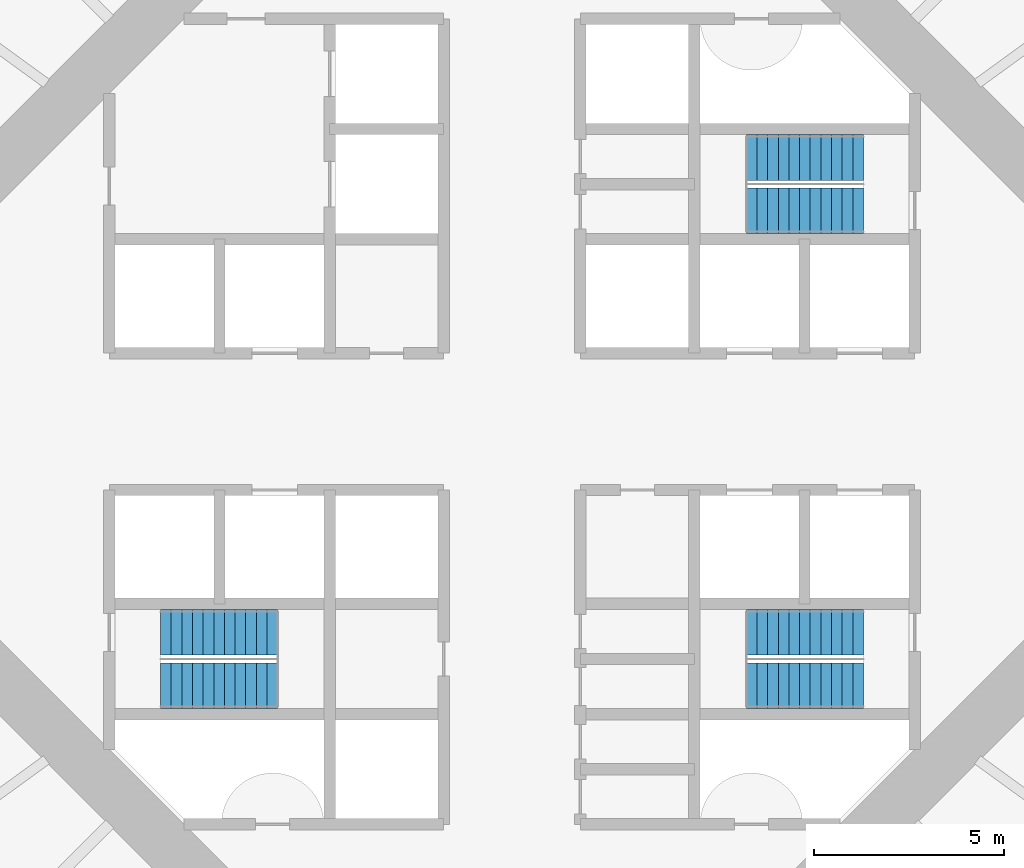
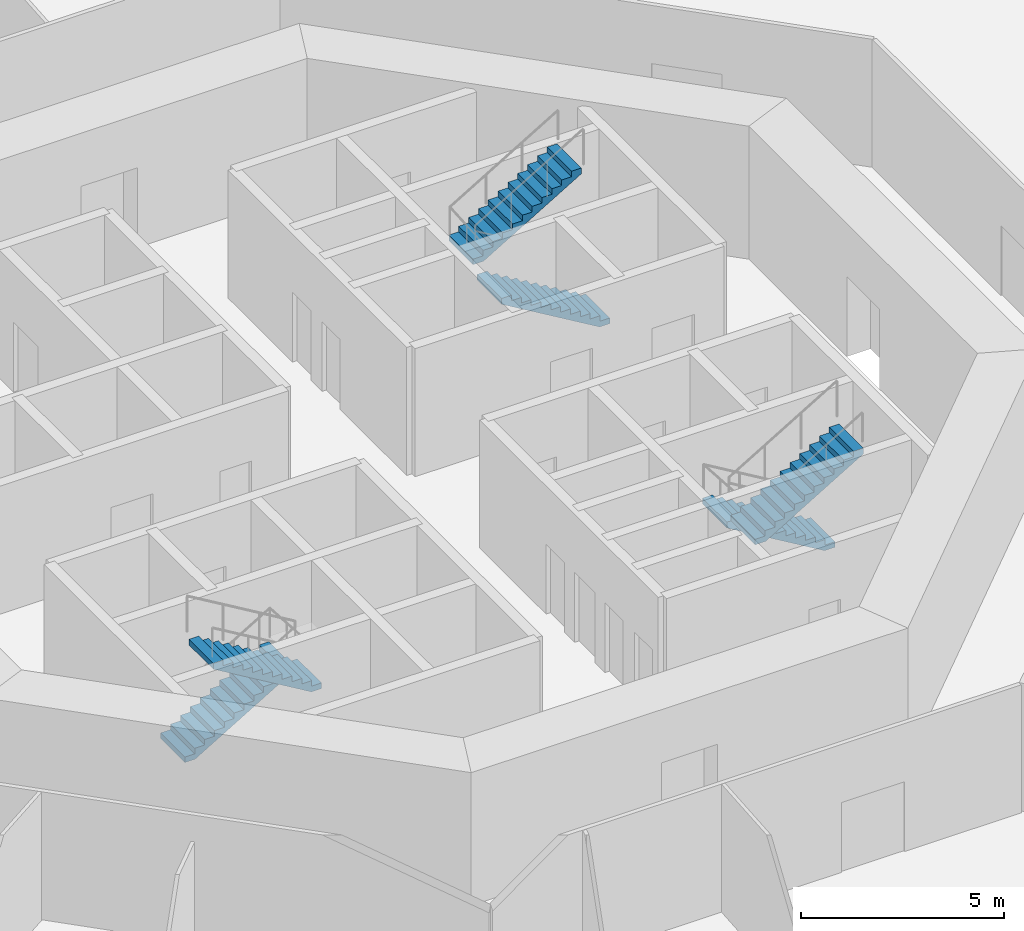
# One storey, part 6 of 13: 6 stair flights, 3 elements without a shape of their own.
"""IFC4 building model written with IfcOpenShell, lengths in metres."""

from ifc_helpers import new_model, si_unit, direction, frame, origin, place, context, subcontext, project, spatial, polyline, outline, extrude, material, type_object, element, aggregate, save


model = new_model("IFC4")

# Units and contexts
model_context = context("Model", 3, precision=1e-05, world=origin(), true_north=direction((0.0, 1.0)))
body_context = subcontext(model_context, "Body", "Model", "MODEL_VIEW")
ifc_project = project(units=[si_unit("LENGTHUNIT", "METRE"), si_unit("AREAUNIT", "SQUARE_METRE"), si_unit("VOLUMEUNIT", "CUBIC_METRE"), si_unit("PLANEANGLEUNIT", "RADIAN"), si_unit("MASSUNIT", "GRAM", prefix="KILO")], contexts=[model_context])

# Site, building, storey
site_placement = place(None, origin())
site = spatial("IfcSite", under=ifc_project, at=site_placement, CompositionType="ELEMENT")
building_placement = place(site_placement, origin())
building = spatial("IfcBuilding", under=site, at=building_placement, Name="Entoto Ring Tower", CompositionType="ELEMENT")
storey_placement = place(building_placement, frame((0.0, 0.0, 42.0)))
storey = spatial("IfcBuildingStorey", under=building, at=storey_placement, Name="L08", CompositionType="ELEMENT", Elevation=42.0)

# Stair, stair flights
ifc_material_1 = material(Name="Concrete C40/50", Category="concrete")
stair_type = type_object("IfcStairType", Name="Exit stair 1200 mm dog-leg reinforced concrete", PredefinedType="HALF_TURN_STAIR", material=ifc_material_1)
stair_1_placement = place(storey_placement, origin())
stair_1 = element("IfcStair", 1, at=stair_1_placement, inside=storey, type_object=stair_type, Name="Exit stair 1", PredefinedType="HALF_TURN_STAIR")
ifc_material_2 = material(Name="Concrete C40/50", Category="concrete")
stair_flight_type = type_object("IfcStairFlightType", Name="Stair flight 1200 mm reinforced concrete", PredefinedType="STRAIGHT", material=ifc_material_2)
stair_flight_1_placement = place(storey_placement, frame((99.25, 85.550048828125, 0.0), z_axis=(0.0, 0.0, 1.0), x_axis=(-1.0, 0.0, 0.0)))
stair_flight_1 = element("IfcStairFlight", 2, at=stair_flight_1_placement, type_object=stair_flight_type, Name="ST1 flight 1", NumberOfRisers=12, NumberOfTreads=11, PredefinedType="STRAIGHT", RiserHeight=0.166666667, TreadLength=0.28, context=body_context, shape_type="SweptSolid", body=[
    extrude(outline(polyline([(0.0, 0.0), (0.0, 0.166748046875), (0.280029296875, 0.166748046875), (0.280029296875, 0.333251953125), (0.56005859375, 0.333251953125), (0.56005859375, 0.5), (0.840087890625, 0.5), (0.840087890625, 0.666748046875), (1.1201171875, 0.666748046875), (1.1201171875, 0.833251953125), (1.39990234375, 0.833251953125), (1.39990234375, 1.0), (1.679931640625, 1.0), (1.679931640625, 1.166748046875), (1.9599609375, 1.166748046875), (1.9599609375, 1.333251953125), (2.239990234375, 1.333251953125), (2.239990234375, 1.5), (2.52001953125, 1.5), (2.52001953125, 1.666748046875), (2.800048828125, 1.666748046875), (2.800048828125, 1.833251953125), (3.080078125, 1.833251953125), (3.080078125, 2.0), (3.080078125, 1.658935546875), (0.29296875, 0.0), (0.0, 0.0)])), frame((0.0, 0.60009765625, 0.0), z_axis=(0.0, -1.0, 0.0), x_axis=(1.0, 0.0, 0.0)), (0.0, 0.0, 1.0), 1.199951171875),
])
stair_flight_2_placement = place(storey_placement, frame((96.169921875, 86.949951171875, 2.0), z_axis=(0.0, 0.0, 1.0), x_axis=(1.0, 0.0, 0.0)))
stair_flight_2 = element("IfcStairFlight", 3, at=stair_flight_2_placement, type_object=stair_flight_type, Name="ST1 flight 2", NumberOfRisers=12, NumberOfTreads=11, PredefinedType="STRAIGHT", RiserHeight=0.166666667, TreadLength=0.28, context=body_context, shape_type="SweptSolid", body=[
    extrude(outline(polyline([(0.0, 0.0), (0.0, 0.166748046875), (0.280029296875, 0.166748046875), (0.280029296875, 0.333251953125), (0.56005859375, 0.333251953125), (0.56005859375, 0.5), (0.840087890625, 0.5), (0.840087890625, 0.666748046875), (1.1201171875, 0.666748046875), (1.1201171875, 0.833251953125), (1.39990234375, 0.833251953125), (1.39990234375, 1.0), (1.679931640625, 1.0), (1.679931640625, 1.166748046875), (1.9599609375, 1.166748046875), (1.9599609375, 1.333251953125), (2.239990234375, 1.333251953125), (2.239990234375, 1.5), (2.52001953125, 1.5), (2.52001953125, 1.666748046875), (2.800048828125, 1.666748046875), (2.800048828125, 1.833251953125), (3.080078125, 1.833251953125), (3.080078125, 2.0), (3.080078125, 1.658935546875), (0.29296875, 0.0), (0.0, 0.0)])), frame((0.0, 0.60009765625, 0.0), z_axis=(0.0, -1.0, 0.0), x_axis=(1.0, 0.0, 0.0)), (0.0, 0.0, 1.0), 1.199951171875),
])
aggregate(stair_1, [stair_flight_1, stair_flight_2])

stair_2_placement = place(storey_placement, origin())
stair_2 = element("IfcStair", 4, at=stair_2_placement, inside=storey, type_object=stair_type, Name="Exit stair 2", PredefinedType="HALF_TURN_STAIR")
stair_flight_3_placement = place(storey_placement, frame((80.75, 74.449951171875, 0.0), z_axis=(0.0, 0.0, 1.0), x_axis=(1.0, 0.0, 0.0)))
stair_flight_3 = element("IfcStairFlight", 5, at=stair_flight_3_placement, type_object=stair_flight_type, Name="ST2 flight 1", NumberOfRisers=12, NumberOfTreads=11, PredefinedType="STRAIGHT", RiserHeight=0.166666667, TreadLength=0.28, context=body_context, shape_type="SweptSolid", body=[
    extrude(outline(polyline([(0.0, 0.0), (0.0, 0.166748046875), (0.280029296875, 0.166748046875), (0.280029296875, 0.333251953125), (0.56005859375, 0.333251953125), (0.56005859375, 0.5), (0.840087890625, 0.5), (0.840087890625, 0.666748046875), (1.1201171875, 0.666748046875), (1.1201171875, 0.833251953125), (1.39990234375, 0.833251953125), (1.39990234375, 1.0), (1.679931640625, 1.0), (1.679931640625, 1.166748046875), (1.9599609375, 1.166748046875), (1.9599609375, 1.333251953125), (2.239990234375, 1.333251953125), (2.239990234375, 1.5), (2.52001953125, 1.5), (2.52001953125, 1.666748046875), (2.800048828125, 1.666748046875), (2.800048828125, 1.833251953125), (3.080078125, 1.833251953125), (3.080078125, 2.0), (3.080078125, 1.658935546875), (0.29296875, 0.0), (0.0, 0.0)])), frame((0.0, 0.60009765625, 0.0), z_axis=(0.0, -1.0, 0.0), x_axis=(1.0, 0.0, 0.0)), (0.0, 0.0, 1.0), 1.199951171875),
])
stair_flight_4_placement = place(storey_placement, frame((83.830078125, 73.050048828125, 2.0), z_axis=(0.0, 0.0, 1.0), x_axis=(-1.0, 0.0, 0.0)))
stair_flight_4 = element("IfcStairFlight", 6, at=stair_flight_4_placement, type_object=stair_flight_type, Name="ST2 flight 2", NumberOfRisers=12, NumberOfTreads=11, PredefinedType="STRAIGHT", RiserHeight=0.166666667, TreadLength=0.28, context=body_context, shape_type="SweptSolid", body=[
    extrude(outline(polyline([(0.0, 0.0), (0.0, 0.166748046875), (0.280029296875, 0.166748046875), (0.280029296875, 0.333251953125), (0.56005859375, 0.333251953125), (0.56005859375, 0.5), (0.840087890625, 0.5), (0.840087890625, 0.666748046875), (1.1201171875, 0.666748046875), (1.1201171875, 0.833251953125), (1.39990234375, 0.833251953125), (1.39990234375, 1.0), (1.679931640625, 1.0), (1.679931640625, 1.166748046875), (1.9599609375, 1.166748046875), (1.9599609375, 1.333251953125), (2.239990234375, 1.333251953125), (2.239990234375, 1.5), (2.52001953125, 1.5), (2.52001953125, 1.666748046875), (2.800048828125, 1.666748046875), (2.800048828125, 1.833251953125), (3.080078125, 1.833251953125), (3.080078125, 2.0), (3.080078125, 1.658935546875), (0.29296875, 0.0), (0.0, 0.0)])), frame((0.0, 0.60009765625, 0.0), z_axis=(0.0, -1.0, 0.0), x_axis=(1.0, 0.0, 0.0)), (0.0, 0.0, 1.0), 1.199951171875),
])
aggregate(stair_2, [stair_flight_3, stair_flight_4])

stair_3_placement = place(storey_placement, origin())
stair_3 = element("IfcStair", 7, at=stair_3_placement, inside=storey, type_object=stair_type, Name="Exit stair 3", PredefinedType="HALF_TURN_STAIR")
stair_flight_5_placement = place(storey_placement, frame((99.25, 74.449951171875, 0.0), z_axis=(0.0, 0.0, 1.0), x_axis=(-1.0, 0.0, 0.0)))
stair_flight_5 = element("IfcStairFlight", 8, at=stair_flight_5_placement, type_object=stair_flight_type, Name="ST3 flight 1", NumberOfRisers=12, NumberOfTreads=11, PredefinedType="STRAIGHT", RiserHeight=0.166666667, TreadLength=0.28, context=body_context, shape_type="SweptSolid", body=[
    extrude(outline(polyline([(0.0, 0.0), (0.0, 0.166748046875), (0.280029296875, 0.166748046875), (0.280029296875, 0.333251953125), (0.56005859375, 0.333251953125), (0.56005859375, 0.5), (0.840087890625, 0.5), (0.840087890625, 0.666748046875), (1.1201171875, 0.666748046875), (1.1201171875, 0.833251953125), (1.39990234375, 0.833251953125), (1.39990234375, 1.0), (1.679931640625, 1.0), (1.679931640625, 1.166748046875), (1.9599609375, 1.166748046875), (1.9599609375, 1.333251953125), (2.239990234375, 1.333251953125), (2.239990234375, 1.5), (2.52001953125, 1.5), (2.52001953125, 1.666748046875), (2.800048828125, 1.666748046875), (2.800048828125, 1.833251953125), (3.080078125, 1.833251953125), (3.080078125, 2.0), (3.080078125, 1.658935546875), (0.29296875, 0.0), (0.0, 0.0)])), frame((0.0, 0.60009765625, 0.0), z_axis=(0.0, -1.0, 0.0), x_axis=(1.0, 0.0, 0.0)), (0.0, 0.0, 1.0), 1.199951171875),
])
stair_flight_6_placement = place(storey_placement, frame((96.169921875, 73.050048828125, 2.0), z_axis=(0.0, 0.0, 1.0), x_axis=(1.0, 0.0, 0.0)))
stair_flight_6 = element("IfcStairFlight", 9, at=stair_flight_6_placement, type_object=stair_flight_type, Name="ST3 flight 2", NumberOfRisers=12, NumberOfTreads=11, PredefinedType="STRAIGHT", RiserHeight=0.166666667, TreadLength=0.28, context=body_context, shape_type="SweptSolid", body=[
    extrude(outline(polyline([(0.0, 0.0), (0.0, 0.166748046875), (0.280029296875, 0.166748046875), (0.280029296875, 0.333251953125), (0.56005859375, 0.333251953125), (0.56005859375, 0.5), (0.840087890625, 0.5), (0.840087890625, 0.666748046875), (1.1201171875, 0.666748046875), (1.1201171875, 0.833251953125), (1.39990234375, 0.833251953125), (1.39990234375, 1.0), (1.679931640625, 1.0), (1.679931640625, 1.166748046875), (1.9599609375, 1.166748046875), (1.9599609375, 1.333251953125), (2.239990234375, 1.333251953125), (2.239990234375, 1.5), (2.52001953125, 1.5), (2.52001953125, 1.666748046875), (2.800048828125, 1.666748046875), (2.800048828125, 1.833251953125), (3.080078125, 1.833251953125), (3.080078125, 2.0), (3.080078125, 1.658935546875), (0.29296875, 0.0), (0.0, 0.0)])), frame((0.0, 0.60009765625, 0.0), z_axis=(0.0, -1.0, 0.0), x_axis=(1.0, 0.0, 0.0)), (0.0, 0.0, 1.0), 1.199951171875),
])
aggregate(stair_3, [stair_flight_5, stair_flight_6])

save(model, "model.ifc")
